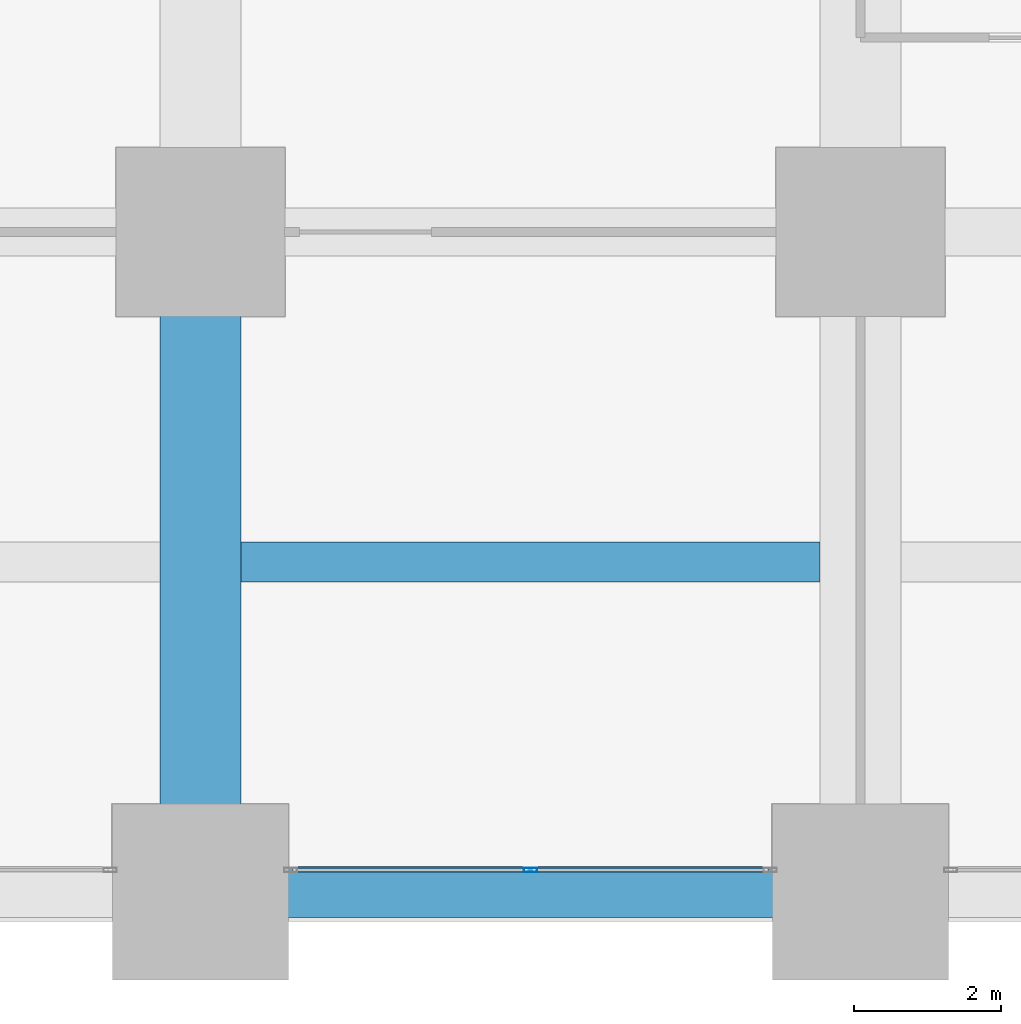
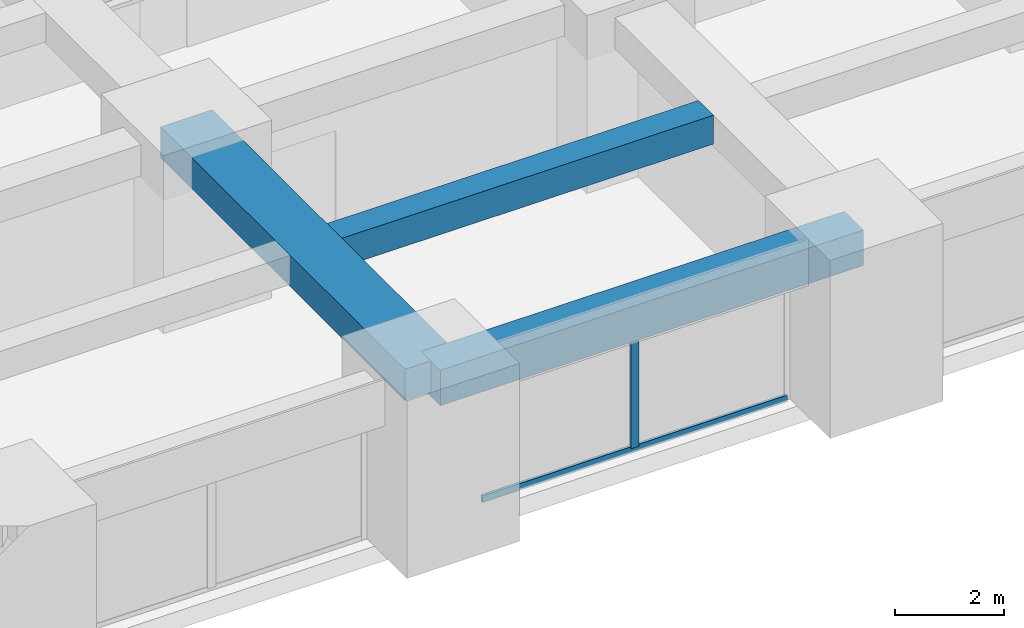
# One storey, part 5 of 38: 3 beams, 2 members, 1 element without a shape of its own.
"""IFC4 building model written with IfcOpenShell, lengths in metres."""

from ifc_helpers import new_model, si_unit, direction, frame, origin, origin_2d, place, context, subcontext, project, spatial, rectangle, hollow_rectangle, extrude, material, material_profile, profile_set, type_object, element, aggregate, save


model = new_model("IFC4")

# Units and contexts
model_context = context("Model", 3, precision=1e-05, world=origin(), true_north=direction((0.0, 1.0)))
body_context = subcontext(model_context, "Body", "Model", "MODEL_VIEW")
ifc_project = project(units=[si_unit("LENGTHUNIT", "METRE"), si_unit("AREAUNIT", "SQUARE_METRE"), si_unit("VOLUMEUNIT", "CUBIC_METRE"), si_unit("PLANEANGLEUNIT", "RADIAN"), si_unit("MASSUNIT", "GRAM", prefix="KILO")], contexts=[model_context])

# Site, building, storey
site_placement = place(None, origin())
site = spatial("IfcSite", under=ifc_project, at=site_placement, CompositionType="ELEMENT")
building_placement = place(site_placement, origin())
building = spatial("IfcBuilding", under=site, at=building_placement, Name="Zorevar Civic Tower", CompositionType="ELEMENT")
storey_placement = place(building_placement, frame((0.0, 0.0, 15.800048828125)))
storey = spatial("IfcBuildingStorey", under=building, at=storey_placement, Name="L03", CompositionType="ELEMENT", Elevation=15.800048828125)

# Beams
ifc_material_1 = material(Name="Concrete C50/60", Category="concrete")
ifc_material_profile_1 = material_profile(ifc_material_1, rectangle(XDim=1.10009765625, YDim=0.699951171875, at=origin_2d()), Name="RC 1100x700")
ifc_profile_set_1 = profile_set([ifc_material_profile_1], Name="Concrete C50/60")
beam_type_1 = type_object("IfcBeamType", Name="Beam RC 1100x700", PredefinedType="BEAM", material=ifc_profile_set_1)
beam_1_placement = place(storey_placement, frame((18.0, 0.0, 3.39990234375), z_axis=(0.0, 1.0, 0.0), x_axis=(-1.0, 0.0, 0.0)))
element("IfcBeam", 1, at=beam_1_placement, inside=storey, type_object=beam_type_1, Name="Girder L04", PredefinedType="BEAM", context=body_context, shape_type="SweptSolid", body=[
    extrude(rectangle(XDim=1.10009765625, YDim=0.699951171875, at=origin_2d()), origin(), (0.0, 0.0, 1.0), 9.0),
])
ifc_material_2 = material(Name="Concrete C50/60", Category="concrete")
ifc_material_profile_2 = material_profile(ifc_material_2, rectangle(XDim=0.550048828125, YDim=0.64990234375, at=origin_2d()), Name="RC 550x650")
ifc_profile_set_2 = profile_set([ifc_material_profile_2], Name="Concrete C50/60")
beam_type_2 = type_object("IfcBeamType", Name="Beam RC 550x650", PredefinedType="BEAM", material=ifc_profile_set_2)
beam_2_placement = place(storey_placement, frame((18.550048828125, 4.5, 3.425048828125), z_axis=(1.0, 0.0, 0.0), x_axis=(0.0, 1.0, 0.0)))
element("IfcBeam", 2, at=beam_2_placement, inside=storey, type_object=beam_type_2, Name="Secondary beam L04", PredefinedType="BEAM", context=body_context, shape_type="SweptSolid", body=[
    extrude(rectangle(XDim=0.550048828125, YDim=0.64990234375, at=origin_2d()), origin(), (0.0, 0.0, 1.0), 7.89990234375),
])

# Curtain wall, members
ifc_material_3 = material(Name="Dark grey solar-control glass in black aluminium frame", Category="aluminium")
curtain_wall_type = type_object("IfcCurtainWallType", Name="Curtain wall CW2 low zone", PredefinedType="NOTDEFINED", material=ifc_material_3)
curtain_wall_placement = place(storey_placement, origin())
curtain_wall = element("IfcCurtainWall", 3, at=curtain_wall_placement, inside=storey, type_object=curtain_wall_type, Name="CW2 L03", PredefinedType="NOTDEFINED")
ifc_material_4 = material(Name="Aluminium, black anodised", Category="aluminium")
ifc_material_profile_3 = material_profile(ifc_material_4, hollow_rectangle(XDim=0.06005859375, YDim=0.179931640625, WallThickness=0.00390625, at=origin_2d()), Name="AL 180x60x4")
ifc_profile_set_3 = profile_set([ifc_material_profile_3], Name="Aluminium, black anodised")
member_type_1 = type_object("IfcMemberType", Name="CW2 mullion AL 180x60x4", PredefinedType="MULLION", material=ifc_profile_set_3)
member_1_placement = place(storey_placement, frame((22.5, 0.300048828125, 0.06005859375), z_axis=(0.0, 0.0, 1.0), x_axis=(0.0, 1.0, 0.0)))
member_1 = element("IfcMember", 4, at=member_1_placement, type_object=member_type_1, Name="CW2 mullion 2", PredefinedType="MULLION", context=body_context, shape_type="SweptSolid", body=[
    extrude(hollow_rectangle(XDim=0.06005859375, YDim=0.179931640625, WallThickness=0.00390625, at=origin_2d()), origin(), (0.0, 0.0, 1.0), 2.889892578125),
])
ifc_material_5 = material(Name="Aluminium, black anodised", Category="aluminium")
ifc_material_profile_4 = material_profile(ifc_material_5, hollow_rectangle(XDim=0.06005859375, YDim=0.14990234375, WallThickness=0.00390625, at=origin_2d()), Name="AL 150x60x4")
ifc_profile_set_4 = profile_set([ifc_material_profile_4], Name="Aluminium, black anodised")
member_type_2 = type_object("IfcMemberType", Name="CW2 transom AL 150x60x4", PredefinedType="USERDEFINED", material=ifc_profile_set_4)
member_2_placement = place(storey_placement, frame((19.260009765625, 0.300048828125, 0.030029296875), z_axis=(1.0, 0.0, 0.0), x_axis=(0.0, 1.0, 0.0)))
member_2 = element("IfcMember", 5, at=member_2_placement, type_object=member_type_2, Name="CW2 sill transom", ObjectType="TRANSOM", PredefinedType="USERDEFINED", context=body_context, shape_type="SweptSolid", body=[
    extrude(hollow_rectangle(XDim=0.06005859375, YDim=0.14990234375, WallThickness=0.00390625, at=origin_2d()), origin(), (0.0, 0.0, 1.0), 6.47998046875),
])
aggregate(curtain_wall, [member_1, member_2])

# Beam
ifc_material_6 = material(Name="Concrete C50/60", Category="concrete")
ifc_material_profile_5 = material_profile(ifc_material_6, rectangle(XDim=0.699951171875, YDim=0.800048828125, at=origin_2d()), Name="RC 700x800")
ifc_profile_set_5 = profile_set([ifc_material_profile_5], Name="Concrete C50/60")
beam_type_3 = type_object("IfcBeamType", Name="Edge beam RC 700x800", PredefinedType="SPANDREL", material=ifc_profile_set_5)
beam_3_placement = place(storey_placement, frame((18.0, 0.0, 3.349853515625), z_axis=(1.0, 0.0, 0.0), x_axis=(0.0, 1.0, 0.0)))
element("IfcBeam", 6, at=beam_3_placement, inside=storey, type_object=beam_type_3, Name="Edge beam L04", PredefinedType="SPANDREL", context=body_context, shape_type="SweptSolid", body=[
    extrude(rectangle(XDim=0.699951171875, YDim=0.800048828125, at=origin_2d()), origin(), (0.0, 0.0, 1.0), 9.0),
])

save(model, "model.ifc")
